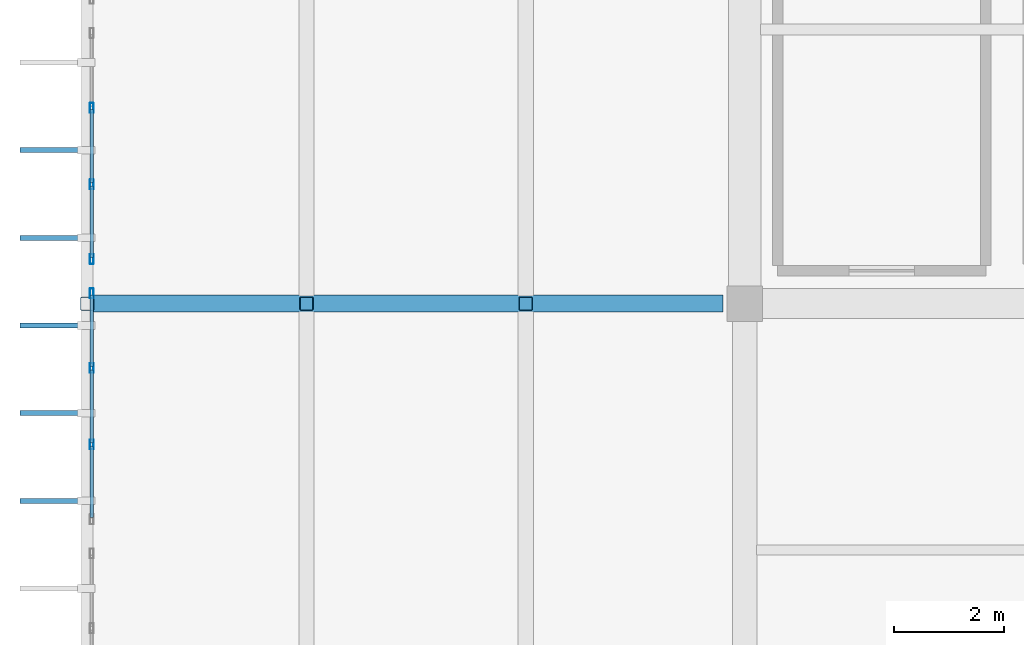
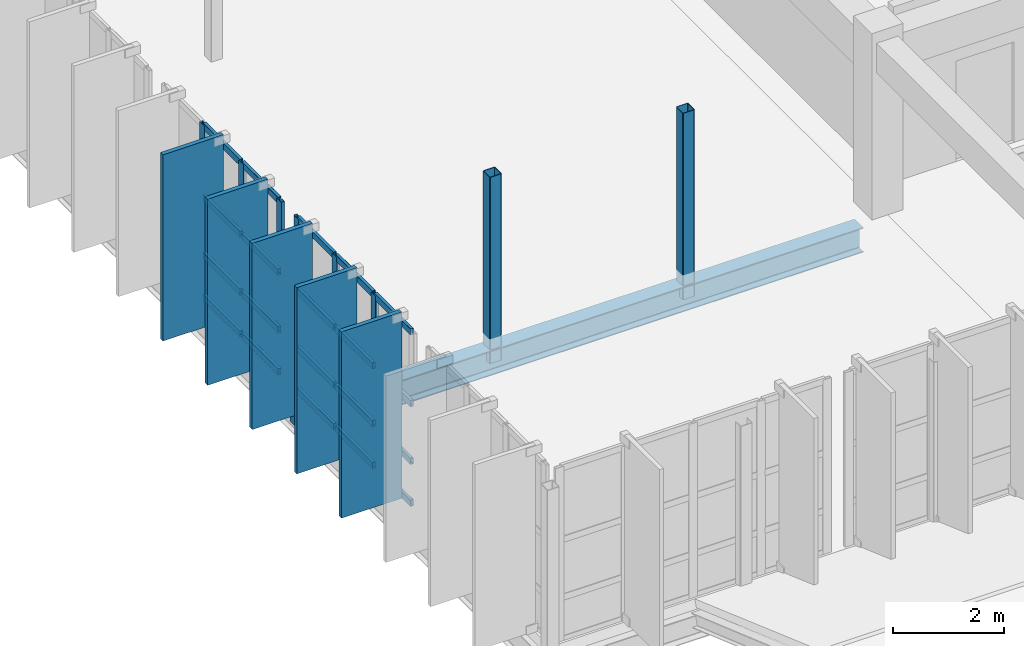
# One storey, part 17 of 80: 34 members, 1 beam, 2 elements without a shape of their own.
"""IFC4 building model written with IfcOpenShell, lengths in metres."""

import ifcopenshell
import ifcopenshell.guid

model = None  # the IFC model being written
_history = None  # IfcOwnerHistory: only IFC2X3 demands one
_inside = {}  # id of a spatial element -> (the spatial element, [elements in it])
_under = {}  # id of a project, library or spatial element -> (it, [spatial elements below it])
_declared = {}  # id of a project -> (the project, [libraries it declares])
_typed = {}  # id of a type object -> (the type object, [elements of that type])
_made_of = {}  # id of a material, layer set ... -> (it, [elements and type objects made of it])


def new_model(schema):
    """Start an empty IFC model of exactly this schema.

    Asked for "IFC4X3", IfcOpenShell would pick the latest addendum, in which some entities
    have other attributes; the version numbers below select the first issue.
    IFC2X3 requires an IfcOwnerHistory on every rooted entity: one is made here for all.
    """
    global model, _history
    if schema == "IFC4X3":
        model = ifcopenshell.file(schema_version=(4, 3, 0, 0))
    else:
        model = ifcopenshell.file(schema=schema)
    _inside.clear()
    _under.clear()
    _declared.clear()
    _typed.clear()
    _made_of.clear()
    _history = None
    if model.schema == "IFC2X3":
        org = make("IfcOrganization", Name="unknown")
        user = make(
            "IfcPersonAndOrganization",
            ThePerson=make("IfcPerson", FamilyName="unknown"),
            TheOrganization=org,
        )
        app = make(
            "IfcApplication",
            ApplicationDeveloper=org,
            Version="unknown",
            ApplicationFullName="unknown",
            ApplicationIdentifier="unknown",
        )
        _history = make(
            "IfcOwnerHistory",
            OwningUser=user,
            OwningApplication=app,
            ChangeAction="ADDED",
            CreationDate=0,
        )
    return model


def make(cls, **values):
    """One entity of the class cls with the attributes given. An attribute that is None is left unset."""
    return model.create_entity(
        cls, **{name: value for name, value in values.items() if value is not None}
    )


def rooted(cls, **values):
    """An entity with a GlobalId (a new one), such as an element, a storey or a relation."""
    return make(cls, GlobalId=ifcopenshell.guid.new(), OwnerHistory=_history, **values)


def si_unit(unit_type, name, prefix=None):
    """IfcSIUnit, for example si_unit("LENGTHUNIT", "METRE", prefix="MILLI")."""
    return make("IfcSIUnit", UnitType=unit_type, Prefix=prefix, Name=name)


def assignment(units):
    """IfcUnitAssignment: the units of a project."""
    return None if units is None else make("IfcUnitAssignment", Units=units)


def point(xyz):
    """IfcCartesianPoint."""
    return None if xyz is None else make("IfcCartesianPoint", Coordinates=xyz)


def direction(xyz):
    """IfcDirection."""
    return None if xyz is None else make("IfcDirection", DirectionRatios=xyz)


def frame(location, z_axis=None, x_axis=None):
    """IfcAxis2Placement3D, a coordinate frame: its origin and axes. An axis left out is left unset."""
    return make(
        "IfcAxis2Placement3D",
        Location=point(location),
        Axis=direction(z_axis),
        RefDirection=direction(x_axis),
    )


def frame_2d(location, x_axis=None):
    """IfcAxis2Placement2D, a coordinate frame in the plane: its origin and x axis."""
    return make(
        "IfcAxis2Placement2D", Location=point(location), RefDirection=direction(x_axis)
    )


def origin():
    """The frame at (0, 0, 0) with its axes left unset."""
    return frame((0.0, 0.0, 0.0))


def origin_2d():
    """The frame at (0, 0) in the plane with its x axis left unset."""
    return frame_2d((0.0, 0.0))


def place(relative_to, where):
    """IfcLocalPlacement: puts the frame where relative to a parent placement (None: the world)."""
    return make(
        "IfcLocalPlacement", PlacementRelTo=relative_to, RelativePlacement=where
    )


def context(
    kind, dimensions, precision=None, world=None, true_north=None, identifier=None
):
    """IfcGeometricRepresentationContext, for example the 3D "Model" context."""
    return make(
        "IfcGeometricRepresentationContext",
        ContextIdentifier=identifier,
        ContextType=kind,
        CoordinateSpaceDimension=dimensions,
        Precision=precision,
        WorldCoordinateSystem=world,
        TrueNorth=true_north,
    )


def subcontext(parent, identifier, kind, view, scale=None):
    """IfcGeometricRepresentationSubContext, for example "Body" below "Model"."""
    return make(
        "IfcGeometricRepresentationSubContext",
        ContextIdentifier=identifier,
        ContextType=kind,
        ParentContext=parent,
        TargetScale=scale,
        TargetView=view,
    )


def project(units=None, contexts=None):
    """IfcProject with its units and contexts."""
    return rooted(
        "IfcProject",
        Name="project",
        RepresentationContexts=contexts,
        UnitsInContext=assignment(units),
    )


def spatial(cls, under=None, at=None, **own):
    """A site, building, storey or space (cls), placed at a placement, below another one or the project."""
    s = rooted(cls, ObjectPlacement=at, **own)
    if under is not None:
        _under.setdefault(under.id(), (under, []))[1].append(s)
    return s


def profile(cls, at=None, kind="AREA", **sizes):
    """A parametric profile (cls). Its sizes go by their IFC names, for example OverallWidth=200.0."""
    return make(cls, ProfileType=kind, Position=at, **sizes)


def rectangle(**sizes):
    """IfcRectangleProfileDef."""
    return profile("IfcRectangleProfileDef", **sizes)


def hollow_rectangle(**sizes):
    """IfcRectangleHollowProfileDef."""
    return profile("IfcRectangleHollowProfileDef", **sizes)


def i_section(**sizes):
    """IfcIShapeProfileDef."""
    return profile("IfcIShapeProfileDef", **sizes)


def extrude(swept, where, along, depth):
    """IfcExtrudedAreaSolid: the profile swept, set in the frame where, extruded along a direction by depth."""
    return make(
        "IfcExtrudedAreaSolid",
        SweptArea=swept,
        Position=where,
        ExtrudedDirection=direction(along),
        Depth=depth,
    )


def shape(context_of_items, identifier, shape_type, items):
    """IfcShapeRepresentation: the items that make up one representation, for example the "Body"."""
    return make(
        "IfcShapeRepresentation",
        ContextOfItems=context_of_items,
        RepresentationIdentifier=identifier,
        RepresentationType=shape_type,
        Items=items,
    )


def material(Name=None, Category=None):
    """IfcMaterial."""
    return make("IfcMaterial", Name=Name, Category=Category)


def material_profile(
    of_material, cross_section, Name=None, Category=None, Priority=None
):
    """IfcMaterialProfile: a cross section and its material."""
    return make(
        "IfcMaterialProfile",
        Name=Name,
        Material=of_material,
        Profile=cross_section,
        Priority=Priority,
        Category=Category,
    )


def profile_set(profiles, Name=None, composite=None):
    """IfcMaterialProfileSet."""
    return make(
        "IfcMaterialProfileSet",
        Name=Name,
        MaterialProfiles=profiles,
        CompositeProfile=composite,
    )


def made_of(thing, what):
    """Note that an element or type object is made of a material, layer set ...; save() writes the relation."""
    if what is not None:
        _made_of.setdefault(what.id(), (what, []))[1].append(thing)
    return thing


def type_object(cls, material=None, **own):
    """A type object (cls), such as IfcWallType, which elements share."""
    return made_of(rooted(cls, **own), material)


def element(
    cls,
    number,
    at=None,
    inside=None,
    cuts=None,
    type_object=None,
    material=None,
    context=None,
    identifier="Body",
    shape_type=None,
    held_by="IfcProductDefinitionShape",
    body=None,
    shapes=None,
    **own,
):
    """One element of the class cls, such as IfcWall. Its Tag is "e" and its number.

    at: its placement. inside: the storey or other place that contains it. cuts: it is an
    opening in that element (IfcRelVoidsElement). A single representation is given by context,
    identifier, shape_type and body (its items); several are given by shapes. held_by: the class
    of the entity that holds the representations. save() writes the other relations.
    """
    e = rooted(cls, Tag="e%d" % number, ObjectPlacement=at, **own)
    if body is not None:
        shapes = [shape(context, identifier, shape_type, body)]
    if shapes is not None:
        e.Representation = make(held_by, Representations=shapes)
    if inside is not None:
        _inside.setdefault(inside.id(), (inside, []))[1].append(e)
    if cuts is not None:
        rooted(
            "IfcRelVoidsElement", RelatingBuildingElement=cuts, RelatedOpeningElement=e
        )
    if type_object is not None:
        _typed.setdefault(type_object.id(), (type_object, []))[1].append(e)
    return made_of(e, material)


def aggregate(whole, parts):
    """IfcRelAggregates: a whole, such as a stair, and the parts it consists of."""
    return rooted("IfcRelAggregates", RelatingObject=whole, RelatedObjects=parts)


def save(model, path):
    """Write the relations noted so far, then the file.

    IfcRelAggregates (storeys below a building ...), IfcRelContainedInSpatialStructure (elements
    in a storey), IfcRelDefinesByType, IfcRelAssociatesMaterial and IfcRelDeclares: one each for
    every whole, place, type object, material and project.
    """
    for whole, parts in _under.values():
        aggregate(whole, parts)
    for where, things in _inside.values():
        rooted(
            "IfcRelContainedInSpatialStructure",
            RelatedElements=things,
            RelatingStructure=where,
        )
    for kind, things in _typed.values():
        rooted("IfcRelDefinesByType", RelatedObjects=things, RelatingType=kind)
    for what, things in _made_of.values():
        rooted("IfcRelAssociatesMaterial", RelatedObjects=things, RelatingMaterial=what)
    for by, libraries in _declared.values():
        rooted("IfcRelDeclares", RelatingContext=by, RelatedDefinitions=libraries)
    model.write(path)


model = new_model("IFC4")

# Units and contexts
model_context = context("Model", 3, precision=1e-05, world=origin(), true_north=direction((0.0, 1.0)))
body_context = subcontext(model_context, "Body", "Model", "MODEL_VIEW")
ifc_project = project(units=[si_unit("LENGTHUNIT", "METRE"), si_unit("AREAUNIT", "SQUARE_METRE"), si_unit("VOLUMEUNIT", "CUBIC_METRE"), si_unit("PLANEANGLEUNIT", "RADIAN"), si_unit("MASSUNIT", "GRAM", prefix="KILO")], contexts=[model_context])

# Site, building, storey
site_placement = place(None, origin())
site = spatial("IfcSite", under=ifc_project, at=site_placement, CompositionType="ELEMENT")
building_placement = place(site_placement, origin())
building = spatial("IfcBuilding", under=site, at=building_placement, Name="Miravela Opera House", CompositionType="ELEMENT")
storey_placement = place(building_placement, frame((0.0, 0.0, 17.679931640625)))
storey = spatial("IfcBuildingStorey", under=building, at=storey_placement, Name="L04", CompositionType="ELEMENT", Elevation=17.679931640625)

# Curtain wall, members
ifc_material_1 = material(Name="Anodised architectural bronze aluminium 6063-T6", Category="aluminium")
curtain_wall_type = type_object("IfcCurtainWallType", Name="ARC-CW-02", PredefinedType="NOTDEFINED", material=ifc_material_1)
curtain_wall_1_placement = place(storey_placement, origin())
curtain_wall_1 = element("IfcCurtainWall", 1, at=curtain_wall_1_placement, inside=storey, type_object=curtain_wall_type, Name="Cantilever West Wrapper Glazing B2 CW-L04-028", PredefinedType="NOTDEFINED")
ifc_material_profile_1 = material_profile(ifc_material_1, hollow_rectangle(XDim=0.06494140625, YDim=0.179931640625, WallThickness=0.00390625, InnerFilletRadius=0.001953125, OuterFilletRadius=0.00390625, at=origin_2d()), Name="CWM-65X180")
ifc_profile_set_1 = profile_set([ifc_material_profile_1])
member_type_1 = type_object("IfcMemberType", Name="ARC-CWM-180", PredefinedType="MULLION", material=ifc_profile_set_1)
member_1_placement = place(storey_placement, frame((15.080078125, 43.4267578125, 0.0), z_axis=(0.0, 0.0, 1.0), x_axis=(-1.0, 0.0, 0.0)))
member_1 = element("IfcMember", 2, at=member_1_placement, type_object=member_type_1, Name="CW-02 mullion 2", PredefinedType="MULLION", context=body_context, shape_type="SweptSolid", body=[
    extrude(hollow_rectangle(XDim=0.06494140625, YDim=0.179931640625, WallThickness=0.00390625, InnerFilletRadius=0.001953125, OuterFilletRadius=0.00390625, at=origin_2d()), origin(), (0.0, 0.0, 1.0), 3.820068359375),
])
member_2_placement = place(storey_placement, frame((15.080078125, 44.8232421875, 0.0), z_axis=(0.0, 0.0, 1.0), x_axis=(-1.0, 0.0, 0.0)))
member_2 = element("IfcMember", 3, at=member_2_placement, type_object=member_type_1, Name="CW-02 mullion 3", PredefinedType="MULLION", context=body_context, shape_type="SweptSolid", body=[
    extrude(hollow_rectangle(XDim=0.06494140625, YDim=0.179931640625, WallThickness=0.00390625, InnerFilletRadius=0.001953125, OuterFilletRadius=0.00390625, at=origin_2d()), origin(), (0.0, 0.0, 1.0), 3.820068359375),
])
member_3_placement = place(storey_placement, frame((15.080078125, 46.1875, 0.0), z_axis=(0.0, 0.0, 1.0), x_axis=(-1.0, 0.0, 0.0)))
member_3 = element("IfcMember", 4, at=member_3_placement, type_object=member_type_1, Name="CW-02 mullion 4", PredefinedType="MULLION", context=body_context, shape_type="SweptSolid", body=[
    extrude(hollow_rectangle(XDim=0.06494140625, YDim=0.179931640625, WallThickness=0.00390625, InnerFilletRadius=0.001953125, OuterFilletRadius=0.00390625, at=origin_2d()), origin(), (0.0, 0.0, 1.0), 3.820068359375),
])

curtain_wall_2_placement = place(storey_placement, origin())
curtain_wall_2 = element("IfcCurtainWall", 5, at=curtain_wall_2_placement, inside=storey, type_object=curtain_wall_type, Name="Cantilever West Wrapper Glazing B3 CW-L04-029", PredefinedType="NOTDEFINED")
member_4_placement = place(storey_placement, frame((15.080078125, 46.8125, 0.0), z_axis=(0.0, 0.0, 1.0), x_axis=(-1.0, 0.0, 0.0)))
member_4 = element("IfcMember", 6, at=member_4_placement, type_object=member_type_1, Name="CW-02 mullion 1", PredefinedType="MULLION", context=body_context, shape_type="SweptSolid", body=[
    extrude(hollow_rectangle(XDim=0.06494140625, YDim=0.179931640625, WallThickness=0.00390625, InnerFilletRadius=0.001953125, OuterFilletRadius=0.00390625, at=origin_2d()), origin(), (0.0, 0.0, 1.0), 3.820068359375),
])
member_5_placement = place(storey_placement, frame((15.080078125, 48.1767578125, 0.0), z_axis=(0.0, 0.0, 1.0), x_axis=(-1.0, 0.0, 0.0)))
member_5 = element("IfcMember", 7, at=member_5_placement, type_object=member_type_1, Name="CW-02 mullion 2", PredefinedType="MULLION", context=body_context, shape_type="SweptSolid", body=[
    extrude(hollow_rectangle(XDim=0.06494140625, YDim=0.179931640625, WallThickness=0.00390625, InnerFilletRadius=0.001953125, OuterFilletRadius=0.00390625, at=origin_2d()), origin(), (0.0, 0.0, 1.0), 3.820068359375),
])
member_6_placement = place(storey_placement, frame((15.080078125, 49.5732421875, 0.0), z_axis=(0.0, 0.0, 1.0), x_axis=(-1.0, 0.0, 0.0)))
member_6 = element("IfcMember", 8, at=member_6_placement, type_object=member_type_1, Name="CW-02 mullion 3", PredefinedType="MULLION", context=body_context, shape_type="SweptSolid", body=[
    extrude(hollow_rectangle(XDim=0.06494140625, YDim=0.179931640625, WallThickness=0.00390625, InnerFilletRadius=0.001953125, OuterFilletRadius=0.00390625, at=origin_2d()), origin(), (0.0, 0.0, 1.0), 3.820068359375),
])

# Member
ifc_material_profile_2 = material_profile(ifc_material_1, hollow_rectangle(XDim=0.06494140625, YDim=0.139892578125, WallThickness=0.00390625, InnerFilletRadius=0.001953125, OuterFilletRadius=0.00390625, at=origin_2d()), Name="CWT-65X140")
ifc_profile_set_2 = profile_set([ifc_material_profile_2])
member_type_2 = type_object("IfcMemberType", Name="ARC-CWT-140", PredefinedType="USERDEFINED", material=ifc_profile_set_2)
member_7_placement = place(storey_placement, frame((15.080078125, 42.094970703125, 0.032470703125), z_axis=(0.0, 1.0, 0.0), x_axis=(-1.0, 0.0, 0.0)))
member_7 = element("IfcMember", 9, at=member_7_placement, type_object=member_type_2, Name="CW-02 transom 1.1", ObjectType="TRANSOM", PredefinedType="USERDEFINED", context=body_context, shape_type="SweptSolid", body=[
    extrude(hollow_rectangle(XDim=0.06494140625, YDim=0.139892578125, WallThickness=0.00390625, InnerFilletRadius=0.001953125, OuterFilletRadius=0.00390625, at=origin_2d()), origin(), (0.0, 0.0, 1.0), 1.29931640625),
])

member_8_placement = place(storey_placement, frame((15.080078125, 42.094970703125, 0.949951171875), z_axis=(0.0, 1.0, 0.0), x_axis=(-1.0, 0.0, 0.0)))
member_8 = element("IfcMember", 10, at=member_8_placement, type_object=member_type_2, Name="CW-02 transom 1.2", ObjectType="TRANSOM", PredefinedType="USERDEFINED", context=body_context, shape_type="SweptSolid", body=[
    extrude(hollow_rectangle(XDim=0.06494140625, YDim=0.139892578125, WallThickness=0.00390625, InnerFilletRadius=0.001953125, OuterFilletRadius=0.00390625, at=origin_2d()), origin(), (0.0, 0.0, 1.0), 1.29931640625),
])

member_9_placement = place(storey_placement, frame((15.080078125, 42.094970703125, 2.215576171875), z_axis=(0.0, 1.0, 0.0), x_axis=(-1.0, 0.0, 0.0)))
member_9 = element("IfcMember", 11, at=member_9_placement, type_object=member_type_2, Name="CW-02 transom 1.3", ObjectType="TRANSOM", PredefinedType="USERDEFINED", context=body_context, shape_type="SweptSolid", body=[
    extrude(hollow_rectangle(XDim=0.06494140625, YDim=0.139892578125, WallThickness=0.00390625, InnerFilletRadius=0.001953125, OuterFilletRadius=0.00390625, at=origin_2d()), origin(), (0.0, 0.0, 1.0), 1.29931640625),
])

member_10_placement = place(storey_placement, frame((15.080078125, 42.094970703125, 3.78759765625), z_axis=(0.0, 1.0, 0.0), x_axis=(-1.0, 0.0, 0.0)))
member_10 = element("IfcMember", 12, at=member_10_placement, type_object=member_type_2, Name="CW-02 transom 1.4", ObjectType="TRANSOM", PredefinedType="USERDEFINED", context=body_context, shape_type="SweptSolid", body=[
    extrude(hollow_rectangle(XDim=0.06494140625, YDim=0.139892578125, WallThickness=0.00390625, InnerFilletRadius=0.001953125, OuterFilletRadius=0.00390625, at=origin_2d()), origin(), (0.0, 0.0, 1.0), 1.29931640625),
])

member_11_placement = place(storey_placement, frame((15.080078125, 43.459228515625, 0.032470703125), z_axis=(0.0, 1.0, 0.0), x_axis=(-1.0, 0.0, 0.0)))
member_11 = element("IfcMember", 13, at=member_11_placement, type_object=member_type_2, Name="CW-02 transom 2.1", ObjectType="TRANSOM", PredefinedType="USERDEFINED", context=body_context, shape_type="SweptSolid", body=[
    extrude(hollow_rectangle(XDim=0.06494140625, YDim=0.139892578125, WallThickness=0.00390625, InnerFilletRadius=0.001953125, OuterFilletRadius=0.00390625, at=origin_2d()), origin(), (0.0, 0.0, 1.0), 1.33154296875),
])

member_12_placement = place(storey_placement, frame((15.080078125, 43.459228515625, 0.949951171875), z_axis=(0.0, 1.0, 0.0), x_axis=(-1.0, 0.0, 0.0)))
member_12 = element("IfcMember", 14, at=member_12_placement, type_object=member_type_2, Name="CW-02 transom 2.2", ObjectType="TRANSOM", PredefinedType="USERDEFINED", context=body_context, shape_type="SweptSolid", body=[
    extrude(hollow_rectangle(XDim=0.06494140625, YDim=0.139892578125, WallThickness=0.00390625, InnerFilletRadius=0.001953125, OuterFilletRadius=0.00390625, at=origin_2d()), origin(), (0.0, 0.0, 1.0), 1.33154296875),
])

member_13_placement = place(storey_placement, frame((15.080078125, 43.459228515625, 2.215576171875), z_axis=(0.0, 1.0, 0.0), x_axis=(-1.0, 0.0, 0.0)))
member_13 = element("IfcMember", 15, at=member_13_placement, type_object=member_type_2, Name="CW-02 transom 2.3", ObjectType="TRANSOM", PredefinedType="USERDEFINED", context=body_context, shape_type="SweptSolid", body=[
    extrude(hollow_rectangle(XDim=0.06494140625, YDim=0.139892578125, WallThickness=0.00390625, InnerFilletRadius=0.001953125, OuterFilletRadius=0.00390625, at=origin_2d()), origin(), (0.0, 0.0, 1.0), 1.33154296875),
])

member_14_placement = place(storey_placement, frame((15.080078125, 43.459228515625, 3.78759765625), z_axis=(0.0, 1.0, 0.0), x_axis=(-1.0, 0.0, 0.0)))
member_14 = element("IfcMember", 16, at=member_14_placement, type_object=member_type_2, Name="CW-02 transom 2.4", ObjectType="TRANSOM", PredefinedType="USERDEFINED", context=body_context, shape_type="SweptSolid", body=[
    extrude(hollow_rectangle(XDim=0.06494140625, YDim=0.139892578125, WallThickness=0.00390625, InnerFilletRadius=0.001953125, OuterFilletRadius=0.00390625, at=origin_2d()), origin(), (0.0, 0.0, 1.0), 1.33154296875),
])

member_15_placement = place(storey_placement, frame((15.080078125, 44.855712890625, 0.032470703125), z_axis=(0.0, 1.0, 0.0), x_axis=(-1.0, 0.0, 0.0)))
member_15 = element("IfcMember", 17, at=member_15_placement, type_object=member_type_2, Name="CW-02 transom 3.1", ObjectType="TRANSOM", PredefinedType="USERDEFINED", context=body_context, shape_type="SweptSolid", body=[
    extrude(hollow_rectangle(XDim=0.06494140625, YDim=0.139892578125, WallThickness=0.00390625, InnerFilletRadius=0.001953125, OuterFilletRadius=0.00390625, at=origin_2d()), origin(), (0.0, 0.0, 1.0), 1.29931640625),
])

member_16_placement = place(storey_placement, frame((15.080078125, 44.855712890625, 0.949951171875), z_axis=(0.0, 1.0, 0.0), x_axis=(-1.0, 0.0, 0.0)))
member_16 = element("IfcMember", 18, at=member_16_placement, type_object=member_type_2, Name="CW-02 transom 3.2", ObjectType="TRANSOM", PredefinedType="USERDEFINED", context=body_context, shape_type="SweptSolid", body=[
    extrude(hollow_rectangle(XDim=0.06494140625, YDim=0.139892578125, WallThickness=0.00390625, InnerFilletRadius=0.001953125, OuterFilletRadius=0.00390625, at=origin_2d()), origin(), (0.0, 0.0, 1.0), 1.29931640625),
])

member_17_placement = place(storey_placement, frame((15.080078125, 44.855712890625, 2.215576171875), z_axis=(0.0, 1.0, 0.0), x_axis=(-1.0, 0.0, 0.0)))
member_17 = element("IfcMember", 19, at=member_17_placement, type_object=member_type_2, Name="CW-02 transom 3.3", ObjectType="TRANSOM", PredefinedType="USERDEFINED", context=body_context, shape_type="SweptSolid", body=[
    extrude(hollow_rectangle(XDim=0.06494140625, YDim=0.139892578125, WallThickness=0.00390625, InnerFilletRadius=0.001953125, OuterFilletRadius=0.00390625, at=origin_2d()), origin(), (0.0, 0.0, 1.0), 1.29931640625),
])

member_18_placement = place(storey_placement, frame((15.080078125, 44.855712890625, 3.78759765625), z_axis=(0.0, 1.0, 0.0), x_axis=(-1.0, 0.0, 0.0)))
member_18 = element("IfcMember", 20, at=member_18_placement, type_object=member_type_2, Name="CW-02 transom 3.4", ObjectType="TRANSOM", PredefinedType="USERDEFINED", context=body_context, shape_type="SweptSolid", body=[
    extrude(hollow_rectangle(XDim=0.06494140625, YDim=0.139892578125, WallThickness=0.00390625, InnerFilletRadius=0.001953125, OuterFilletRadius=0.00390625, at=origin_2d()), origin(), (0.0, 0.0, 1.0), 1.29931640625),
])

aggregate(curtain_wall_1, [member_1, member_2, member_3, member_7, member_8, member_9, member_10, member_11, member_12, member_13, member_14, member_15, member_16, member_17, member_18])

member_19_placement = place(storey_placement, frame((15.080078125, 46.844970703125, 0.032470703125), z_axis=(0.0, 1.0, 0.0), x_axis=(-1.0, 0.0, 0.0)))
member_19 = element("IfcMember", 21, at=member_19_placement, type_object=member_type_2, Name="CW-02 transom 1.1", ObjectType="TRANSOM", PredefinedType="USERDEFINED", context=body_context, shape_type="SweptSolid", body=[
    extrude(hollow_rectangle(XDim=0.06494140625, YDim=0.139892578125, WallThickness=0.00390625, InnerFilletRadius=0.001953125, OuterFilletRadius=0.00390625, at=origin_2d()), origin(), (0.0, 0.0, 1.0), 1.29931640625),
])

member_20_placement = place(storey_placement, frame((15.080078125, 46.844970703125, 0.949951171875), z_axis=(0.0, 1.0, 0.0), x_axis=(-1.0, 0.0, 0.0)))
member_20 = element("IfcMember", 22, at=member_20_placement, type_object=member_type_2, Name="CW-02 transom 1.2", ObjectType="TRANSOM", PredefinedType="USERDEFINED", context=body_context, shape_type="SweptSolid", body=[
    extrude(hollow_rectangle(XDim=0.06494140625, YDim=0.139892578125, WallThickness=0.00390625, InnerFilletRadius=0.001953125, OuterFilletRadius=0.00390625, at=origin_2d()), origin(), (0.0, 0.0, 1.0), 1.29931640625),
])

member_21_placement = place(storey_placement, frame((15.080078125, 46.844970703125, 2.215576171875), z_axis=(0.0, 1.0, 0.0), x_axis=(-1.0, 0.0, 0.0)))
member_21 = element("IfcMember", 23, at=member_21_placement, type_object=member_type_2, Name="CW-02 transom 1.3", ObjectType="TRANSOM", PredefinedType="USERDEFINED", context=body_context, shape_type="SweptSolid", body=[
    extrude(hollow_rectangle(XDim=0.06494140625, YDim=0.139892578125, WallThickness=0.00390625, InnerFilletRadius=0.001953125, OuterFilletRadius=0.00390625, at=origin_2d()), origin(), (0.0, 0.0, 1.0), 1.29931640625),
])

member_22_placement = place(storey_placement, frame((15.080078125, 46.844970703125, 3.78759765625), z_axis=(0.0, 1.0, 0.0), x_axis=(-1.0, 0.0, 0.0)))
member_22 = element("IfcMember", 24, at=member_22_placement, type_object=member_type_2, Name="CW-02 transom 1.4", ObjectType="TRANSOM", PredefinedType="USERDEFINED", context=body_context, shape_type="SweptSolid", body=[
    extrude(hollow_rectangle(XDim=0.06494140625, YDim=0.139892578125, WallThickness=0.00390625, InnerFilletRadius=0.001953125, OuterFilletRadius=0.00390625, at=origin_2d()), origin(), (0.0, 0.0, 1.0), 1.29931640625),
])

member_23_placement = place(storey_placement, frame((15.080078125, 48.209228515625, 0.032470703125), z_axis=(0.0, 1.0, 0.0), x_axis=(-1.0, 0.0, 0.0)))
member_23 = element("IfcMember", 25, at=member_23_placement, type_object=member_type_2, Name="CW-02 transom 2.1", ObjectType="TRANSOM", PredefinedType="USERDEFINED", context=body_context, shape_type="SweptSolid", body=[
    extrude(hollow_rectangle(XDim=0.06494140625, YDim=0.139892578125, WallThickness=0.00390625, InnerFilletRadius=0.001953125, OuterFilletRadius=0.00390625, at=origin_2d()), origin(), (0.0, 0.0, 1.0), 1.33154296875),
])

member_24_placement = place(storey_placement, frame((15.080078125, 48.209228515625, 0.949951171875), z_axis=(0.0, 1.0, 0.0), x_axis=(-1.0, 0.0, 0.0)))
member_24 = element("IfcMember", 26, at=member_24_placement, type_object=member_type_2, Name="CW-02 transom 2.2", ObjectType="TRANSOM", PredefinedType="USERDEFINED", context=body_context, shape_type="SweptSolid", body=[
    extrude(hollow_rectangle(XDim=0.06494140625, YDim=0.139892578125, WallThickness=0.00390625, InnerFilletRadius=0.001953125, OuterFilletRadius=0.00390625, at=origin_2d()), origin(), (0.0, 0.0, 1.0), 1.33154296875),
])

member_25_placement = place(storey_placement, frame((15.080078125, 48.209228515625, 2.215576171875), z_axis=(0.0, 1.0, 0.0), x_axis=(-1.0, 0.0, 0.0)))
member_25 = element("IfcMember", 27, at=member_25_placement, type_object=member_type_2, Name="CW-02 transom 2.3", ObjectType="TRANSOM", PredefinedType="USERDEFINED", context=body_context, shape_type="SweptSolid", body=[
    extrude(hollow_rectangle(XDim=0.06494140625, YDim=0.139892578125, WallThickness=0.00390625, InnerFilletRadius=0.001953125, OuterFilletRadius=0.00390625, at=origin_2d()), origin(), (0.0, 0.0, 1.0), 1.33154296875),
])

member_26_placement = place(storey_placement, frame((15.080078125, 48.209228515625, 3.78759765625), z_axis=(0.0, 1.0, 0.0), x_axis=(-1.0, 0.0, 0.0)))
member_26 = element("IfcMember", 28, at=member_26_placement, type_object=member_type_2, Name="CW-02 transom 2.4", ObjectType="TRANSOM", PredefinedType="USERDEFINED", context=body_context, shape_type="SweptSolid", body=[
    extrude(hollow_rectangle(XDim=0.06494140625, YDim=0.139892578125, WallThickness=0.00390625, InnerFilletRadius=0.001953125, OuterFilletRadius=0.00390625, at=origin_2d()), origin(), (0.0, 0.0, 1.0), 1.33154296875),
])

aggregate(curtain_wall_2, [member_4, member_5, member_6, member_19, member_20, member_21, member_22, member_23, member_24, member_25, member_26])

# Members
ifc_material_profile_3 = material_profile(ifc_material_1, rectangle(XDim=0.090087890625, YDim=1.25, at=origin_2d()), Name="FIN-1250X90")
ifc_profile_set_3 = profile_set([ifc_material_profile_3])
member_type_3 = type_object("IfcMemberType", Name="ARC-FIN-1250", PredefinedType="USERDEFINED", material=ifc_profile_set_3)
for number, where, z_axis, x_axis, name in (
    (29, (14.39501953125, 42.39990234375, 0.0), (0.0, 0.0, 1.0), (0.0, 1.0, 0.0), "Auditorium Wrapper Bronze Solar Fin FIN-L04-WEST-0076"),
    (30, (14.39501953125, 44.0, 0.0), (0.0, 0.0, 1.0), (0.0, 1.0, 0.0), "Auditorium Wrapper Bronze Solar Fin FIN-L04-WEST-0077"),
    (31, (14.39501953125, 45.60009765625, 0.0), (0.0, 0.0, 1.0), (0.0, 1.0, 0.0), "Auditorium Wrapper Bronze Solar Fin FIN-L04-WEST-0078"),
    (32, (14.39501953125, 47.199951171875, 0.0), (0.0, 0.0, 1.0), (0.0, 1.0, 0.0), "Auditorium Wrapper Bronze Solar Fin FIN-L04-WEST-0079"),
    (33, (14.39501953125, 48.800048828125, 0.0), (0.0, 0.0, 1.0), (0.0, 1.0, 0.0), "Auditorium Wrapper Bronze Solar Fin FIN-L04-WEST-0080"),
):
    element("IfcMember", number, at=place(storey_placement, frame(where, z_axis=z_axis, x_axis=x_axis)), inside=storey, type_object=member_type_3, Name=name, ObjectType="FIN", PredefinedType="USERDEFINED", context=body_context, shape_type="SweptSolid", body=[
        extrude(rectangle(XDim=0.090087890625, YDim=1.25, at=origin_2d()), origin(), (0.0, 0.0, 1.0), 4.080078125),
    ])

# Beam
ifc_material_2 = material(Name="Structural steel ASTM A992 Gr. 50", Category="steel")
ifc_material_profile_4 = material_profile(ifc_material_2, i_section(OverallWidth=0.31201171875, OverallDepth=0.54296875, WebThickness=0.0126953125, FlangeThickness=0.020263671875, FilletRadius=0.01611328125, at=origin_2d()), Name="W530X150")
ifc_profile_set_4 = profile_set([ifc_material_profile_4])
beam_type = type_object("IfcBeamType", Name="STR-BM-W530X150", PredefinedType="BEAM", material=ifc_profile_set_4)
beam_placement = place(storey_placement, frame((15.110107421875, 46.0, -0.511474609375), z_axis=(1.0, 0.0, 0.0), x_axis=(0.0, 1.0, 0.0)))
element("IfcBeam", 34, at=beam_placement, inside=storey, type_object=beam_type, Name="Cantilever Chord L04 T2", PredefinedType="BEAM", context=body_context, shape_type="SweptSolid", body=[
    extrude(i_section(OverallWidth=0.31201171875, OverallDepth=0.54296875, WebThickness=0.0126953125, FlangeThickness=0.020263671875, FilletRadius=0.01611328125, at=origin_2d()), origin(), (0.0, 0.0, 1.0), 11.489990234375),
])

# Members
ifc_material_3 = material(Name="Hollow structural steel ASTM A500 Gr. C", Category="steel")
ifc_material_profile_5 = material_profile(ifc_material_3, hollow_rectangle(XDim=0.25, YDim=0.25, WallThickness=0.011962890625, InnerFilletRadius=0.011962890625, OuterFilletRadius=0.02392578125, at=origin_2d()), Name="HSS250X250X12")
ifc_profile_set_5 = profile_set([ifc_material_profile_5])
member_type_4 = type_object("IfcMemberType", Name="STR-MEM-CANT-POST2", PredefinedType="POST", material=ifc_profile_set_5)
for number, where, z_axis, x_axis, name in (
    (35, (15.0, 46.0, -0.5400390625), (0.0, 0.0, 1.0), (1.0, 0.0, 0.0), "Upper Wrapper Truss Post L04 X=15.0"),
    (36, (19.0, 46.0, -0.5400390625), (0.0, 0.0, 1.0), (1.0, 0.0, 0.0), "Upper Wrapper Truss Post L04 X=19.0"),
    (37, (23.0, 46.0, -0.5400390625), (0.0, 0.0, 1.0), (1.0, 0.0, 0.0), "Upper Wrapper Truss Post L04 X=23.0"),
):
    element("IfcMember", number, at=place(storey_placement, frame(where, z_axis=z_axis, x_axis=x_axis)), inside=storey, type_object=member_type_4, Name=name, PredefinedType="POST", context=body_context, shape_type="SweptSolid", body=[
        extrude(hollow_rectangle(XDim=0.25, YDim=0.25, WallThickness=0.011962890625, InnerFilletRadius=0.011962890625, OuterFilletRadius=0.02392578125, at=origin_2d()), origin(), (0.0, 0.0, 1.0), 4.080078125),
    ])

save(model, "model.ifc")
